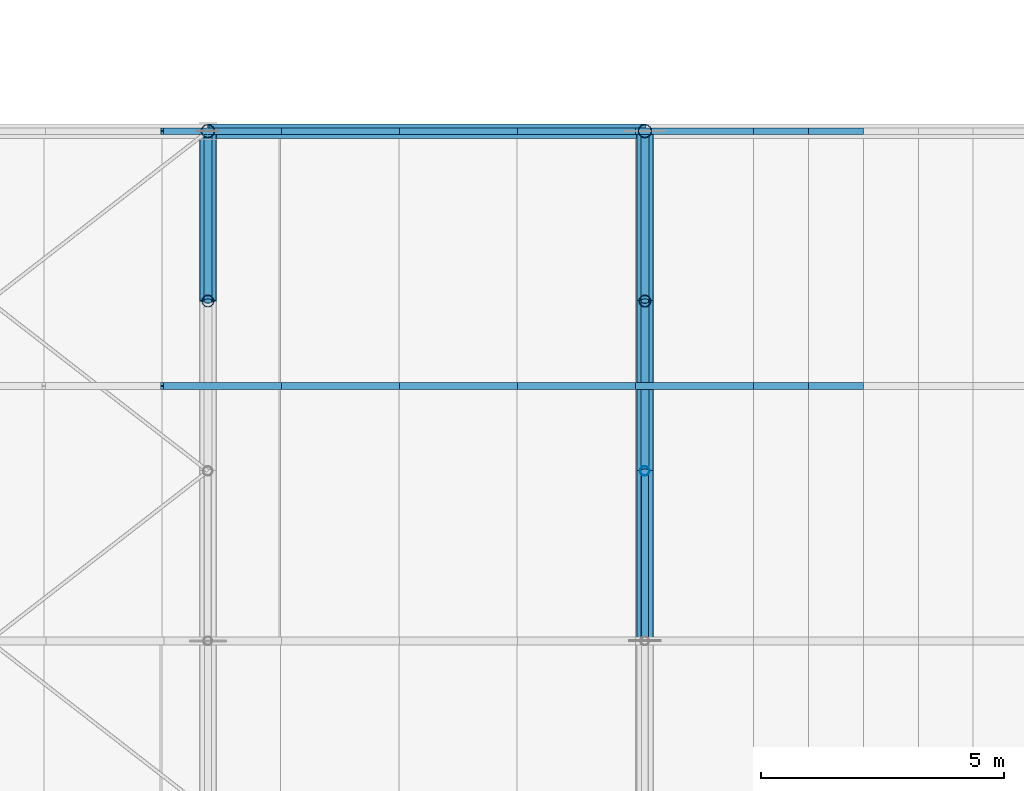
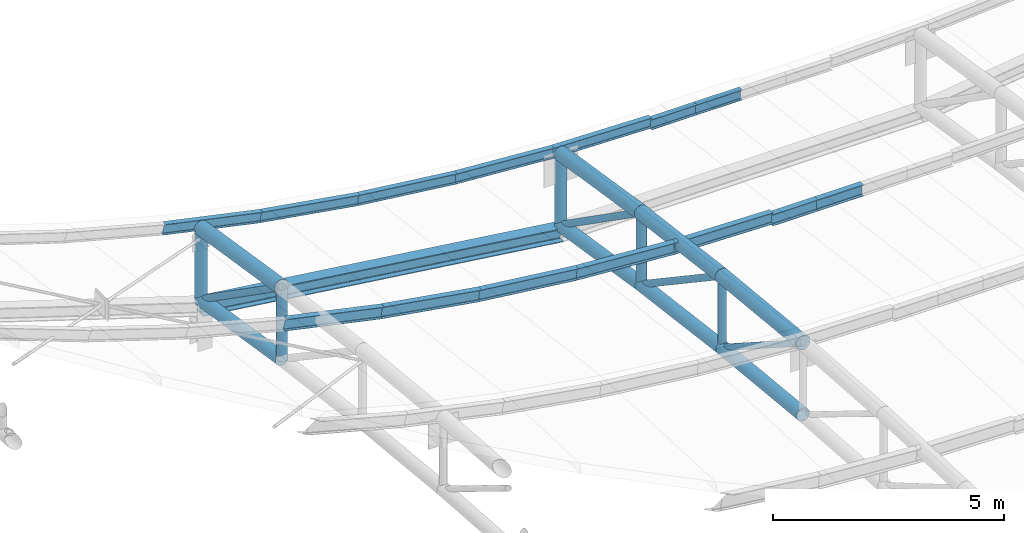
# One storey, part 39 of 262: 31 members, 1 beam.
"""IFC4 building model written with IfcOpenShell, lengths in metres."""

from ifc_helpers import new_model, si_unit, derived_unit, direction, frame, origin, origin_2d, place, context, subcontext, project, spatial, hollow_circle, i_section, extrude, material, material_profile, profile_set, type_object, element, save


model = new_model("IFC4")

# Units and contexts
model_context = context("Model", 3, precision=1e-05, world=origin(), true_north=direction((0.0, 1.0)))
body_context = subcontext(model_context, "Body", "Model", "MODEL_VIEW")
ifc_project = project(units=[si_unit("LENGTHUNIT", "METRE"), si_unit("AREAUNIT", "SQUARE_METRE"), si_unit("VOLUMEUNIT", "CUBIC_METRE"), si_unit("PLANEANGLEUNIT", "RADIAN"), si_unit("MASSUNIT", "GRAM", prefix="KILO"), derived_unit("THERMALTRANSMITTANCEUNIT", [(si_unit("POWERUNIT", "WATT"), 1), (si_unit("LENGTHUNIT", "METRE"), -2), (si_unit("THERMODYNAMICTEMPERATUREUNIT", "KELVIN"), -1)])], contexts=[model_context])

# Site, building, storey
site_placement = place(None, origin())
site = spatial("IfcSite", under=ifc_project, at=site_placement, CompositionType="ELEMENT")
building_placement = place(site_placement, origin())
building = spatial("IfcBuilding", under=site, at=building_placement, Name="Almenara Railside Exhibition Hall", CompositionType="ELEMENT")
storey_placement = place(building_placement, frame((0.0, 0.0, 21.699951171875)))
storey = spatial("IfcBuildingStorey", under=building, at=storey_placement, Name="RF", CompositionType="ELEMENT", Elevation=21.699951171875)

# Members
ifc_material = material(Name="Structural steel S355JR", Category="steel")
ifc_material_profile_1 = material_profile(ifc_material, i_section(OverallWidth=0.14990234375, OverallDepth=0.300048828125, WebThickness=0.007080078125, FlangeThickness=0.0107421875, FilletRadius=0.014892578125, at=origin_2d()), Name="IPE 300")
ifc_profile_set_1 = profile_set([ifc_material_profile_1], Name="Structural steel S355JR")
member_type_1 = type_object("IfcMemberType", Name="East Hall Ridge Purlin IPE 300 S355JR", PredefinedType="PURLIN", material=ifc_profile_set_1)
member_1_placement = place(storey_placement, frame((20.056884765625, 36.75, -5.90185546875), z_axis=(0.977496103583, 0.0, -0.210953472309), x_axis=(0.0, 1.0, 0.0)))
element("IfcMember", 1, at=member_1_placement, inside=storey, type_object=member_type_1, Name="MEM-PR-V4-PR-IPE300-07-07", PredefinedType="PURLIN", context=body_context, shape_type="SweptSolid", body=[
    extrude(i_section(OverallWidth=0.14990234375, OverallDepth=0.300048828125, WebThickness=0.007080078125, FlangeThickness=0.0107421875, FilletRadius=0.014892578125, at=origin_2d()), origin(), (0.0, 0.0, 1.0), 2.492919921875),
])
member_2_placement = place(storey_placement, frame((22.49365234375, 36.75, -6.42431640625), z_axis=(0.986449960692, 0.0, -0.164062412058), x_axis=(0.0, 1.0, 0.0)))
element("IfcMember", 2, at=member_2_placement, inside=storey, type_object=member_type_1, Name="MEM-PR-V4-PR-IPE300-07-08", PredefinedType="PURLIN", context=body_context, shape_type="SweptSolid", body=[
    extrude(i_section(OverallWidth=0.14990234375, OverallDepth=0.300048828125, WebThickness=0.007080078125, FlangeThickness=0.0107421875, FilletRadius=0.014892578125, at=origin_2d()), origin(), (0.0, 0.0, 1.0), 2.47021484375),
])
member_3_placement = place(storey_placement, frame((24.930419921875, 36.75, -6.827392578125), z_axis=(0.993117280569, 0.0, -0.117124152227), x_axis=(0.0, 1.0, 0.0)))
element("IfcMember", 3, at=member_3_placement, inside=storey, type_object=member_type_1, Name="MEM-PR-V4-PR-IPE300-07-09", PredefinedType="PURLIN", context=body_context, shape_type="SweptSolid", body=[
    extrude(i_section(OverallWidth=0.14990234375, OverallDepth=0.300048828125, WebThickness=0.007080078125, FlangeThickness=0.0107421875, FilletRadius=0.014892578125, at=origin_2d()), origin(), (0.0, 0.0, 1.0), 2.453369140625),
])
member_4_placement = place(storey_placement, frame((27.366943359375, 36.75, -7.11328125), z_axis=(0.997521719737, 0.0, -0.070359211571), x_axis=(0.0, 1.0, 0.0)))
element("IfcMember", 4, at=member_4_placement, inside=storey, type_object=member_type_1, Name="MEM-PR-V4-PR-IPE300-07-10", PredefinedType="PURLIN", context=body_context, shape_type="SweptSolid", body=[
    extrude(i_section(OverallWidth=0.14990234375, OverallDepth=0.300048828125, WebThickness=0.007080078125, FlangeThickness=0.0107421875, FilletRadius=0.014892578125, at=origin_2d()), origin(), (0.0, 0.0, 1.0), 2.44287109375),
])
member_5_placement = place(storey_placement, frame((29.8037109375, 36.75, -7.2841796875), z_axis=(0.999725289903, 0.0, -0.023438104182), x_axis=(0.0, 1.0, 0.0)))
element("IfcMember", 5, at=member_5_placement, inside=storey, type_object=member_type_1, Name="MEM-PR-V4-PR-IPE300-07-11", PredefinedType="PURLIN", context=body_context, shape_type="SweptSolid", body=[
    extrude(i_section(OverallWidth=0.14990234375, OverallDepth=0.300048828125, WebThickness=0.007080078125, FlangeThickness=0.0107421875, FilletRadius=0.014892578125, at=origin_2d()), origin(), (0.0, 0.0, 1.0), 2.4375),
])
member_6_placement = place(storey_placement, frame((32.240478515625, 36.75, -7.3916015625), z_axis=(1.0, 0.0, 0.0), x_axis=(0.0, 1.0, 0.0)))
element("IfcMember", 6, at=member_6_placement, inside=storey, type_object=member_type_1, Name="MEM-PR-V4-PR-IPE300-07-12", PredefinedType="PURLIN", context=body_context, shape_type="SweptSolid", body=[
    extrude(i_section(OverallWidth=0.14990234375, OverallDepth=0.300048828125, WebThickness=0.007080078125, FlangeThickness=0.0107421875, FilletRadius=0.014892578125, at=origin_2d()), origin(), (0.0, 0.0, 1.0), 1.129638671875),
])
member_7_placement = place(storey_placement, frame((33.3701171875, 36.75, -7.3916015625), z_axis=(1.0, 0.0, 0.0), x_axis=(0.0, 1.0, 0.0)))
element("IfcMember", 7, at=member_7_placement, inside=storey, type_object=member_type_1, Name="MEM-PR-V4-PR-IPE300-07-13", PredefinedType="PURLIN", context=body_context, shape_type="SweptSolid", body=[
    extrude(i_section(OverallWidth=0.14990234375, OverallDepth=0.300048828125, WebThickness=0.007080078125, FlangeThickness=0.0107421875, FilletRadius=0.014892578125, at=origin_2d()), origin(), (0.0, 0.0, 1.0), 1.1298828125),
])
ifc_material_profile_2 = material_profile(ifc_material, i_section(OverallWidth=0.135009765625, OverallDepth=0.27001953125, WebThickness=0.006591796875, FlangeThickness=0.01025390625, FilletRadius=0.014892578125, at=origin_2d()), Name="IPE 270")
ifc_profile_set_2 = profile_set([ifc_material_profile_2], Name="Structural steel S355JR")
member_type_2 = type_object("IfcMemberType", Name="East Hall Standard Purlin IPE 270 S355JR", PredefinedType="PURLIN", material=ifc_profile_set_2)
member_8_placement = place(storey_placement, frame((20.056884765625, 42.0, -6.564208984375), z_axis=(0.977516294467, 0.0, -0.210859891994), x_axis=(0.0, 1.0, 0.0)))
element("IfcMember", 8, at=member_8_placement, inside=storey, type_object=member_type_2, Name="MEM-PR-V4-PR-IPE270-08-07", PredefinedType="PURLIN", context=body_context, shape_type="SweptSolid", body=[
    extrude(i_section(OverallWidth=0.135009765625, OverallDepth=0.27001953125, WebThickness=0.006591796875, FlangeThickness=0.01025390625, FilletRadius=0.014892578125, at=origin_2d()), origin(), (0.0, 0.0, 1.0), 2.492919921875),
])
member_9_placement = place(storey_placement, frame((22.49365234375, 42.0, -7.0869140625), z_axis=(0.986449960692, 0.0, -0.164062412058), x_axis=(0.0, 1.0, 0.0)))
element("IfcMember", 9, at=member_9_placement, inside=storey, type_object=member_type_2, Name="MEM-PR-V4-PR-IPE270-08-08", PredefinedType="PURLIN", context=body_context, shape_type="SweptSolid", body=[
    extrude(i_section(OverallWidth=0.135009765625, OverallDepth=0.27001953125, WebThickness=0.006591796875, FlangeThickness=0.01025390625, FilletRadius=0.014892578125, at=origin_2d()), origin(), (0.0, 0.0, 1.0), 2.47021484375),
])
member_10_placement = place(storey_placement, frame((24.930419921875, 42.0, -7.48974609375), z_axis=(0.993105700961, 0.0, -0.117222296166), x_axis=(0.0, 1.0, 0.0)))
element("IfcMember", 10, at=member_10_placement, inside=storey, type_object=member_type_2, Name="MEM-PR-V4-PR-IPE270-08-09", PredefinedType="PURLIN", context=body_context, shape_type="SweptSolid", body=[
    extrude(i_section(OverallWidth=0.135009765625, OverallDepth=0.27001953125, WebThickness=0.006591796875, FlangeThickness=0.01025390625, FilletRadius=0.014892578125, at=origin_2d()), origin(), (0.0, 0.0, 1.0), 2.453369140625),
])
member_11_placement = place(storey_placement, frame((27.366943359375, 42.0, -7.77587890625), z_axis=(0.997528729247, 0.0, -0.070259763216), x_axis=(0.0, 1.0, 0.0)))
element("IfcMember", 11, at=member_11_placement, inside=storey, type_object=member_type_2, Name="MEM-PR-V4-PR-IPE270-08-10", PredefinedType="PURLIN", context=body_context, shape_type="SweptSolid", body=[
    extrude(i_section(OverallWidth=0.135009765625, OverallDepth=0.27001953125, WebThickness=0.006591796875, FlangeThickness=0.01025390625, FilletRadius=0.014892578125, at=origin_2d()), origin(), (0.0, 0.0, 1.0), 2.44287109375),
])
member_12_placement = place(storey_placement, frame((29.8037109375, 42.0, -7.94677734375), z_axis=(0.999725289903, 0.0, -0.023438104182), x_axis=(0.0, 1.0, 0.0)))
element("IfcMember", 12, at=member_12_placement, inside=storey, type_object=member_type_2, Name="MEM-PR-V4-PR-IPE270-08-11", PredefinedType="PURLIN", context=body_context, shape_type="SweptSolid", body=[
    extrude(i_section(OverallWidth=0.135009765625, OverallDepth=0.27001953125, WebThickness=0.006591796875, FlangeThickness=0.01025390625, FilletRadius=0.014892578125, at=origin_2d()), origin(), (0.0, 0.0, 1.0), 2.4375),
])
member_13_placement = place(storey_placement, frame((32.240478515625, 42.0, -8.0546875), z_axis=(1.0, 0.0, 0.0), x_axis=(0.0, 1.0, 0.0)))
element("IfcMember", 13, at=member_13_placement, inside=storey, type_object=member_type_2, Name="MEM-PR-V4-PR-IPE270-08-12", PredefinedType="PURLIN", context=body_context, shape_type="SweptSolid", body=[
    extrude(i_section(OverallWidth=0.135009765625, OverallDepth=0.27001953125, WebThickness=0.006591796875, FlangeThickness=0.01025390625, FilletRadius=0.014892578125, at=origin_2d()), origin(), (0.0, 0.0, 1.0), 1.129638671875),
])
member_14_placement = place(storey_placement, frame((33.3701171875, 42.0, -8.0546875), z_axis=(1.0, 0.0, 0.0), x_axis=(0.0, 1.0, 0.0)))
element("IfcMember", 14, at=member_14_placement, inside=storey, type_object=member_type_2, Name="MEM-PR-V4-PR-IPE270-08-13", PredefinedType="PURLIN", context=body_context, shape_type="SweptSolid", body=[
    extrude(i_section(OverallWidth=0.135009765625, OverallDepth=0.27001953125, WebThickness=0.006591796875, FlangeThickness=0.01025390625, FilletRadius=0.014892578125, at=origin_2d()), origin(), (0.0, 0.0, 1.0), 1.1298828125),
])
ifc_material_profile_3 = material_profile(ifc_material, hollow_circle(Radius=0.161865234375, WallThickness=0.010009765625, at=origin_2d()), Name="CHS 323.9x10")
ifc_profile_set_3 = profile_set([ifc_material_profile_3], Name="Structural steel S355JR")
member_type_3 = type_object("IfcMemberType", Name="Plenary Truss Bottom Chord CHS 323.9x10 S355JR", PredefinedType="CHORD", material=ifc_profile_set_3)
member_15_placement = place(storey_placement, frame((21.0, 38.5, -8.220458984375), z_axis=(0.0, 0.987875011802, -0.155251283593), x_axis=(-1.0, 0.0, 0.0)))
element("IfcMember", 15, at=member_15_placement, inside=storey, type_object=member_type_3, Name="MEM-BC-V4-02-11", PredefinedType="CHORD", context=body_context, shape_type="SweptSolid", body=[
    extrude(hollow_circle(Radius=0.161865234375, WallThickness=0.010009765625, at=origin_2d()), origin(), (0.0, 0.0, 1.0), 3.54296875),
])
member_16_placement = place(storey_placement, frame((30.0, 31.5, -8.6015625), z_axis=(0.0, 0.995034440995, -0.099531207337), x_axis=(-1.0, 0.0, 0.0)))
element("IfcMember", 16, at=member_16_placement, inside=storey, type_object=member_type_3, Name="MEM-BC-V4-03-09", PredefinedType="CHORD", context=body_context, shape_type="SweptSolid", body=[
    extrude(hollow_circle(Radius=0.161865234375, WallThickness=0.010009765625, at=origin_2d()), origin(), (0.0, 0.0, 1.0), 3.517578125),
])
member_17_placement = place(storey_placement, frame((30.0, 35.0, -8.95166015625), z_axis=(0.0, 0.991837525329, -0.127508130523), x_axis=(-1.0, 0.0, 0.0)))
element("IfcMember", 17, at=member_17_placement, inside=storey, type_object=member_type_3, Name="MEM-BC-V4-03-10", PredefinedType="CHORD", context=body_context, shape_type="SweptSolid", body=[
    extrude(hollow_circle(Radius=0.161865234375, WallThickness=0.010009765625, at=origin_2d()), origin(), (0.0, 0.0, 1.0), 3.52880859375),
])
member_18_placement = place(storey_placement, frame((30.0, 38.5, -9.401611328125), z_axis=(0.0, 0.987875011802, -0.155251283593), x_axis=(-1.0, 0.0, 0.0)))
element("IfcMember", 18, at=member_18_placement, inside=storey, type_object=member_type_3, Name="MEM-BC-V4-03-11", PredefinedType="CHORD", context=body_context, shape_type="SweptSolid", body=[
    extrude(hollow_circle(Radius=0.161865234375, WallThickness=0.010009765625, at=origin_2d()), origin(), (0.0, 0.0, 1.0), 3.54296875),
])
ifc_material_profile_4 = material_profile(ifc_material, hollow_circle(Radius=0.177734375, WallThickness=0.012451171875, at=origin_2d()), Name="CHS 355.6x12.5")
ifc_profile_set_4 = profile_set([ifc_material_profile_4], Name="Structural steel S355JR")
member_type_4 = type_object("IfcMemberType", Name="Plenary Truss Top Chord CHS 355.6x12.5 S355JR", PredefinedType="CHORD", material=ifc_profile_set_4)
member_19_placement = place(storey_placement, frame((21.0, 38.5, -6.320556640625), z_axis=(0.0, 0.987875011802, -0.155251283593), x_axis=(-1.0, 0.0, 0.0)))
element("IfcMember", 19, at=member_19_placement, inside=storey, type_object=member_type_4, Name="MEM-TC-V4-02-11", PredefinedType="CHORD", context=body_context, shape_type="SweptSolid", body=[
    extrude(hollow_circle(Radius=0.177734375, WallThickness=0.012451171875, at=origin_2d()), origin(), (0.0, 0.0, 1.0), 3.54296875),
])
member_20_placement = place(storey_placement, frame((30.0, 31.5, -6.70166015625), z_axis=(0.0, 0.995034440995, -0.099531207337), x_axis=(-1.0, 0.0, 0.0)))
element("IfcMember", 20, at=member_20_placement, inside=storey, type_object=member_type_4, Name="MEM-TC-V4-03-09", PredefinedType="CHORD", context=body_context, shape_type="SweptSolid", body=[
    extrude(hollow_circle(Radius=0.177734375, WallThickness=0.012451171875, at=origin_2d()), origin(), (0.0, 0.0, 1.0), 3.517578125),
])
member_21_placement = place(storey_placement, frame((30.0, 35.0, -7.0517578125), z_axis=(0.0, 0.991837525329, -0.127508130523), x_axis=(-1.0, 0.0, 0.0)))
element("IfcMember", 21, at=member_21_placement, inside=storey, type_object=member_type_4, Name="MEM-TC-V4-03-10", PredefinedType="CHORD", context=body_context, shape_type="SweptSolid", body=[
    extrude(hollow_circle(Radius=0.177734375, WallThickness=0.012451171875, at=origin_2d()), origin(), (0.0, 0.0, 1.0), 3.52880859375),
])
member_22_placement = place(storey_placement, frame((30.0, 38.5, -7.501708984375), z_axis=(0.0, 0.987875011802, -0.155251283593), x_axis=(-1.0, 0.0, 0.0)))
element("IfcMember", 22, at=member_22_placement, inside=storey, type_object=member_type_4, Name="MEM-TC-V4-03-11", PredefinedType="CHORD", context=body_context, shape_type="SweptSolid", body=[
    extrude(hollow_circle(Radius=0.177734375, WallThickness=0.012451171875, at=origin_2d()), origin(), (0.0, 0.0, 1.0), 3.54296875),
])

# Beam
ifc_material_profile_5 = material_profile(ifc_material, i_section(OverallWidth=0.300048828125, OverallDepth=0.360107421875, WebThickness=0.012451171875, FlangeThickness=0.0224609375, FilletRadius=0.027099609375, at=origin_2d()), Name="HEB 360")
ifc_profile_set_5 = profile_set([ifc_material_profile_5], Name="Structural steel S355JR")
beam_type = type_object("IfcBeamType", Name="Steel Portal Girder HEB 360 S355JR", PredefinedType="USERDEFINED", material=ifc_profile_set_5)
beam_placement = place(storey_placement, frame((21.0, 42.0, -8.950439453125), z_axis=(0.991497815941, 0.0, -0.130123329902), x_axis=(0.0, 1.0, 0.0)))
element("IfcBeam", 23, at=beam_placement, inside=storey, type_object=beam_type, Name="Beam 0994", ObjectType="GIRDER", PredefinedType="USERDEFINED", context=body_context, shape_type="SweptSolid", body=[
    extrude(i_section(OverallWidth=0.300048828125, OverallDepth=0.360107421875, WebThickness=0.012451171875, FlangeThickness=0.0224609375, FilletRadius=0.027099609375, at=origin_2d()), origin(), (0.0, 0.0, 1.0), 9.0771484375),
])

# Members
ifc_material_profile_6 = material_profile(ifc_material, hollow_circle(Radius=0.084228515625, WallThickness=0.006103515625, at=origin_2d()), Name="CHS 168.3x6")
ifc_profile_set_6 = profile_set([ifc_material_profile_6], Name="Structural steel S355JR")
member_type_5 = type_object("IfcMemberType", Name="Truss End Diagonal CHS 168.3x6 S355JR", PredefinedType="BRACE", material=ifc_profile_set_6)
member_23_placement = place(storey_placement, frame((21.0, 38.5, -6.320556640625), z_axis=(0.0, 0.819237289855, -0.573454673807), x_axis=(-1.0, 0.0, 0.0)))
element("IfcMember", 24, at=member_23_placement, inside=storey, type_object=member_type_5, Name="MEM-TD-V4-02-11", PredefinedType="BRACE", context=body_context, shape_type="SweptSolid", body=[
    extrude(hollow_circle(Radius=0.084228515625, WallThickness=0.006103515625, at=origin_2d()), origin(), (0.0, 0.0, 1.0), 4.272216796875),
])
member_24_placement = place(storey_placement, frame((30.0, 35.0, -7.0517578125), z_axis=(0.0, 0.830237211538, -0.557410237238), x_axis=(-1.0, 0.0, 0.0)))
element("IfcMember", 25, at=member_24_placement, inside=storey, type_object=member_type_5, Name="MEM-TD-V4-03-10", PredefinedType="BRACE", context=body_context, shape_type="SweptSolid", body=[
    extrude(hollow_circle(Radius=0.084228515625, WallThickness=0.006103515625, at=origin_2d()), origin(), (0.0, 0.0, 1.0), 4.215576171875),
])
member_25_placement = place(storey_placement, frame((30.0, 38.5, -7.501708984375), z_axis=(0.0, 0.819237289855, -0.573454673807), x_axis=(-1.0, 0.0, 0.0)))
element("IfcMember", 26, at=member_25_placement, inside=storey, type_object=member_type_5, Name="MEM-TD-V4-03-11", PredefinedType="BRACE", context=body_context, shape_type="SweptSolid", body=[
    extrude(hollow_circle(Radius=0.084228515625, WallThickness=0.006103515625, at=origin_2d()), origin(), (0.0, 0.0, 1.0), 4.272216796875),
])
ifc_material_profile_7 = material_profile(ifc_material, hollow_circle(Radius=0.122314453125, WallThickness=0.008056640625, at=origin_2d()), Name="CHS 244.5x8")
ifc_profile_set_7 = profile_set([ifc_material_profile_7], Name="Structural steel S355JR")
member_type_6 = type_object("IfcMemberType", Name="Truss Haunch Vertical Strut CHS 244.5x8 S355JR", PredefinedType="BRACE", material=ifc_profile_set_7)
for number, where, z_axis, x_axis, name in (
    (27, (21.0, 38.5, -8.220458984375), (0.0, 0.0, 1.0), (1.0, 0.0, 0.0), "MEM-TV-V4-02-11"),
    (28, (30.0, 38.5, -9.401611328125), (0.0, 0.0, 1.0), (1.0, 0.0, 0.0), "MEM-TV-V4-03-11"),
):
    element("IfcMember", number, at=place(storey_placement, frame(where, z_axis=z_axis, x_axis=x_axis)), inside=storey, type_object=member_type_6, Name=name, PredefinedType="BRACE", context=body_context, shape_type="SweptSolid", body=[
        extrude(hollow_circle(Radius=0.122314453125, WallThickness=0.008056640625, at=origin_2d()), origin(), (0.0, 0.0, 1.0), 1.89990234375),
    ])
ifc_material_profile_8 = material_profile(ifc_material, hollow_circle(Radius=0.076171875, WallThickness=0.0048828125, at=origin_2d()), Name="CHS 152.4x5")
ifc_profile_set_8 = profile_set([ifc_material_profile_8], Name="Structural steel S355JR")
member_type_7 = type_object("IfcMemberType", Name="Truss Mid Diagonal CHS 152.4x5 S355JR", PredefinedType="BRACE", material=ifc_profile_set_8)
member_26_placement = place(storey_placement, frame((30.0, 31.5, -6.70166015625), z_axis=(0.0, 0.841178475377, -0.540757591313), x_axis=(-1.0, 0.0, 0.0)))
element("IfcMember", 29, at=member_26_placement, inside=storey, type_object=member_type_7, Name="MEM-TD-V4-03-09", PredefinedType="BRACE", context=body_context, shape_type="SweptSolid", body=[
    extrude(hollow_circle(Radius=0.076171875, WallThickness=0.0048828125, at=origin_2d()), origin(), (0.0, 0.0, 1.0), 4.160888671875),
])
ifc_material_profile_9 = material_profile(ifc_material, hollow_circle(Radius=0.096923828125, WallThickness=0.00634765625, at=origin_2d()), Name="CHS 193.7x6.3")
ifc_profile_set_9 = profile_set([ifc_material_profile_9], Name="Structural steel S355JR")
member_type_8 = type_object("IfcMemberType", Name="Truss Standard Vertical Strut CHS 193.7x6.3 S355JR", PredefinedType="BRACE", material=ifc_profile_set_9)
member_27_placement = place(storey_placement, frame((30.0, 35.0, -8.95166015625), z_axis=(0.0, 0.0, 1.0), x_axis=(1.0, 0.0, 0.0)))
element("IfcMember", 30, at=member_27_placement, inside=storey, type_object=member_type_8, Name="MEM-TV-V4-03-10", PredefinedType="BRACE", context=body_context, shape_type="SweptSolid", body=[
    extrude(hollow_circle(Radius=0.096923828125, WallThickness=0.00634765625, at=origin_2d()), origin(), (0.0, 0.0, 1.0), 1.89990234375),
])
ifc_material_profile_10 = material_profile(ifc_material, hollow_circle(Radius=0.136474609375, WallThickness=0.008056640625, at=origin_2d()), Name="CHS 273x8")
ifc_profile_set_10 = profile_set([ifc_material_profile_10], Name="Structural steel S355JR")
member_type_9 = type_object("IfcMemberType", Name="Truss Support Vertical Strut CHS 273x8 S355JR", PredefinedType="BRACE", material=ifc_profile_set_10)
for number, where, z_axis, x_axis, name in (
    (31, (21.0, 42.0, -8.7705078125), (0.0, 0.0, 1.0), (1.0, 0.0, 0.0), "MEM-TV-V4-02-12"),
    (32, (30.0, 42.0, -9.95166015625), (0.0, 0.0, 1.0), (1.0, 0.0, 0.0), "MEM-TV-V4-03-12"),
):
    element("IfcMember", number, at=place(storey_placement, frame(where, z_axis=z_axis, x_axis=x_axis)), inside=storey, type_object=member_type_9, Name=name, PredefinedType="BRACE", context=body_context, shape_type="SweptSolid", body=[
        extrude(hollow_circle(Radius=0.136474609375, WallThickness=0.008056640625, at=origin_2d()), origin(), (0.0, 0.0, 1.0), 1.89990234375),
    ])

save(model, "model.ifc")
